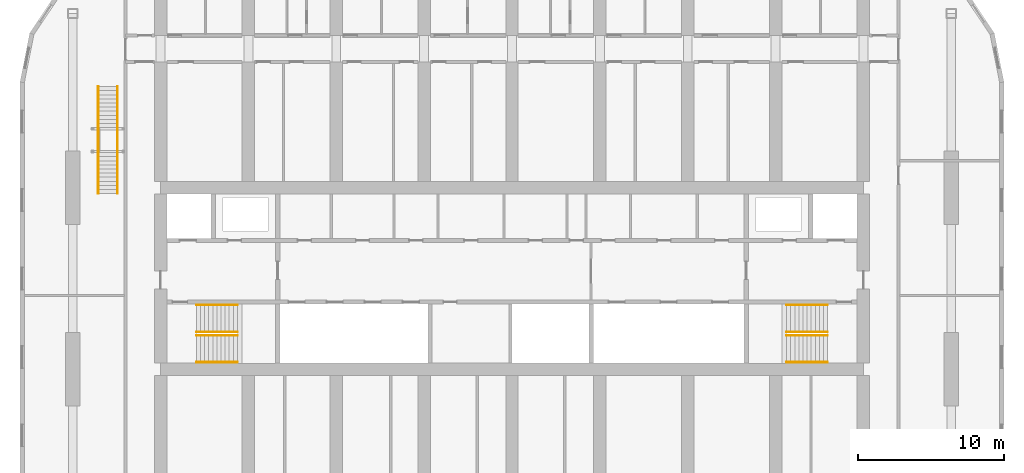
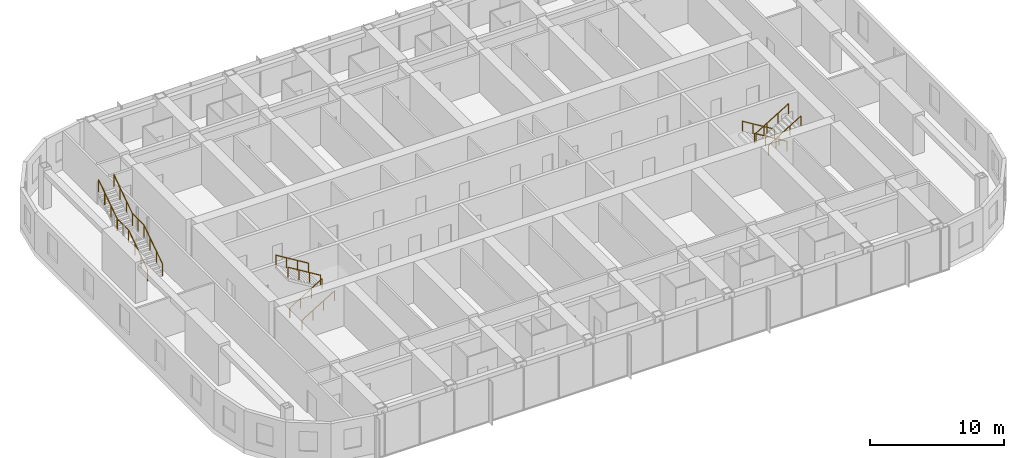
# One storey, part 29 of 29: 10 railings.
"""IFC4 building model written with IfcOpenShell, lengths in metres."""

from ifc_helpers import new_model, si_unit, direction, frame, origin, origin_2d, place, context, subcontext, project, spatial, circle, extrude, material, type_object, element, save


model = new_model("IFC4")

# Units and contexts
model_context = context("Model", 3, precision=1e-05, world=origin(), true_north=direction((0.0, 1.0)))
body_context = subcontext(model_context, "Body", "Model", "MODEL_VIEW")
ifc_project = project(units=[si_unit("LENGTHUNIT", "METRE"), si_unit("AREAUNIT", "SQUARE_METRE"), si_unit("VOLUMEUNIT", "CUBIC_METRE"), si_unit("PLANEANGLEUNIT", "RADIAN"), si_unit("MASSUNIT", "GRAM", prefix="KILO")], contexts=[model_context])

# Site, building, storey
site_placement = place(None, origin())
site = spatial("IfcSite", under=ifc_project, at=site_placement, CompositionType="ELEMENT")
building_placement = place(site_placement, origin())
building = spatial("IfcBuilding", under=site, at=building_placement, Name="Orbita Commons", CompositionType="ELEMENT")
storey_placement = place(building_placement, frame((0.0, 0.0, 148.60009765625)))
storey = spatial("IfcBuildingStorey", under=building, at=storey_placement, Name="L36", CompositionType="ELEMENT", Elevation=148.60009765625)

# Railings
ifc_material_1 = material(Name="Laminated glass, steel handrail", Category="steel")
railing_type_1 = type_object("IfcRailingType", Name="Feature stair balustrade, glass on steel stringer 1100", PredefinedType="BALUSTRADE", material=ifc_material_1)
for number, where, name in (
    (1, (13.739990234375, 37.800048828125, 0.0), "Neighbourhood stair L36 to L37 balustrade L"),
    (2, (15.06005859375, 37.800048828125, 0.0), "Neighbourhood stair L36 to L37 balustrade R"),
):
    element("IfcRailing", number, at=place(storey_placement, frame(where)), inside=storey, type_object=railing_type_1, Name=name, PredefinedType="BALUSTRADE", context=body_context, shape_type="SweptSolid", body=[
        extrude(circle(Radius=0.02490234375, at=origin_2d()), frame((0.0, 0.0, 1.0751953125), z_axis=(0.0, 0.830911662861, 0.55640435703), x_axis=(-1.0, 0.0, 0.0)), (0.0, 0.0, 1.0), 3.369873046875),
        extrude(circle(Radius=0.02490234375, at=origin_2d()), frame((0.0, 2.800048828125, 2.9501953125), z_axis=(0.0, 1.0, 0.0), x_axis=(-1.0, 0.0, 0.0)), (0.0, 0.0, 1.0), 1.7099609375),
        extrude(circle(Radius=0.02490234375, at=origin_2d()), frame((0.0, 4.510009765625, 2.9501953125), z_axis=(0.0, 0.830911662861, 0.55640435703), x_axis=(-1.0, 0.0, 0.0)), (0.0, 0.0, 1.0), 3.369873046875),
        extrude(circle(Radius=0.02001953125, at=origin_2d()), origin(), (0.0, 0.0, 1.0), 1.050048828125),
        extrude(circle(Radius=0.02001953125, at=origin_2d()), frame((0.0, 0.933349609375, 0.625)), (0.0, 0.0, 1.0), 1.050048828125),
        extrude(circle(Radius=0.02001953125, at=origin_2d()), frame((0.0, 1.86669921875, 1.25)), (0.0, 0.0, 1.0), 1.050048828125),
        extrude(circle(Radius=0.02001953125, at=origin_2d()), frame((0.0, 2.800048828125, 1.875)), (0.0, 0.0, 1.0), 1.050048828125),
        extrude(circle(Radius=0.02001953125, at=origin_2d()), frame((0.0, 3.655029296875, 1.875)), (0.0, 0.0, 1.0), 1.050048828125),
        extrude(circle(Radius=0.02001953125, at=origin_2d()), frame((0.0, 4.510009765625, 1.875)), (0.0, 0.0, 1.0), 1.050048828125),
        extrude(circle(Radius=0.02001953125, at=origin_2d()), frame((0.0, 5.443359375, 2.5)), (0.0, 0.0, 1.0), 1.050048828125),
        extrude(circle(Radius=0.02001953125, at=origin_2d()), frame((0.0, 6.376708984375, 3.125)), (0.0, 0.0, 1.0), 1.050048828125),
        extrude(circle(Radius=0.02001953125, at=origin_2d()), frame((0.0, 7.31005859375, 3.75)), (0.0, 0.0, 1.0), 1.050048828125),
    ])
ifc_material_2 = material(Name="Steel tube, painted", Category="steel")
railing_type_2 = type_object("IfcRailingType", Name="Stair handrail steel tube 900", PredefinedType="HANDRAIL", material=ifc_material_2)
for number, where, name in (
    (3, (20.449951171875, 28.114990234375, 0.17041015625), "Stair S1 handrail L36 flight 1"),
    (4, (20.449951171875, 26.284912109375, 0.17041015625), "Stair S1 handrail L36 flight 1"),
):
    element("IfcRailing", number, at=place(storey_placement, frame(where)), inside=storey, type_object=railing_type_2, Name=name, PredefinedType="HANDRAIL", context=body_context, shape_type="SweptSolid", body=[
        extrude(circle(Radius=0.02099609375, at=origin_2d()), frame((0.0, 0.0, 0.87890625), z_axis=(0.854169791009, 0.0, 0.51999420009), x_axis=(0.0, 1.0, 0.0)), (0.0, 0.0, 1.0), 3.278076171875),
        extrude(circle(Radius=0.02001953125, at=origin_2d()), origin(), (0.0, 0.0, 1.0), 0.85791015625),
        extrude(circle(Radius=0.02001953125, at=origin_2d()), frame((0.933349609375, 0.0, 0.568115234375)), (0.0, 0.0, 1.0), 0.85791015625),
        extrude(circle(Radius=0.02001953125, at=origin_2d()), frame((1.86669921875, 0.0, 1.136474609375)), (0.0, 0.0, 1.0), 0.85791015625),
        extrude(circle(Radius=0.02001953125, at=origin_2d()), frame((2.800048828125, 0.0, 1.70458984375)), (0.0, 0.0, 1.0), 0.85791015625),
    ])
for number, where, name in (
    (5, (23.25, 28.360107421875, 2.04541015625), "Stair S1 handrail L36 flight 2"),
    (6, (23.25, 30.18994140625, 2.04541015625), "Stair S1 handrail L36 flight 2"),
    (7, (63.550048828125, 28.360107421875, 0.17041015625), "Stair S2 handrail L36 flight 1"),
    (8, (63.550048828125, 30.18994140625, 0.17041015625), "Stair S2 handrail L36 flight 1"),
):
    element("IfcRailing", number, at=place(storey_placement, frame(where)), inside=storey, type_object=railing_type_2, Name=name, PredefinedType="HANDRAIL", context=body_context, shape_type="SweptSolid", body=[
        extrude(circle(Radius=0.02099609375, at=origin_2d()), frame((0.0, 0.0, 0.87890625), z_axis=(-0.854169791009, 0.0, 0.51999420009), x_axis=(0.0, -1.0, 0.0)), (0.0, 0.0, 1.0), 3.278076171875),
        extrude(circle(Radius=0.02001953125, at=origin_2d()), origin(), (0.0, 0.0, 1.0), 0.85791015625),
        extrude(circle(Radius=0.02001953125, at=origin_2d()), frame((-0.933349609375, 0.0, 0.568115234375)), (0.0, 0.0, 1.0), 0.85791015625),
        extrude(circle(Radius=0.02001953125, at=origin_2d()), frame((-1.86669921875, 0.0, 1.136474609375)), (0.0, 0.0, 1.0), 0.85791015625),
        extrude(circle(Radius=0.02001953125, at=origin_2d()), frame((-2.800048828125, 0.0, 1.70458984375)), (0.0, 0.0, 1.0), 0.85791015625),
    ])
for number, where, name in (
    (9, (60.75, 28.114990234375, 2.04541015625), "Stair S2 handrail L36 flight 2"),
    (10, (60.75, 26.284912109375, 2.04541015625), "Stair S2 handrail L36 flight 2"),
):
    element("IfcRailing", number, at=place(storey_placement, frame(where)), inside=storey, type_object=railing_type_2, Name=name, PredefinedType="HANDRAIL", context=body_context, shape_type="SweptSolid", body=[
        extrude(circle(Radius=0.02099609375, at=origin_2d()), frame((0.0, 0.0, 0.87890625), z_axis=(0.854169791009, 0.0, 0.51999420009), x_axis=(0.0, 1.0, 0.0)), (0.0, 0.0, 1.0), 3.278076171875),
        extrude(circle(Radius=0.02001953125, at=origin_2d()), origin(), (0.0, 0.0, 1.0), 0.85791015625),
        extrude(circle(Radius=0.02001953125, at=origin_2d()), frame((0.933349609375, 0.0, 0.568115234375)), (0.0, 0.0, 1.0), 0.85791015625),
        extrude(circle(Radius=0.02001953125, at=origin_2d()), frame((1.86669921875, 0.0, 1.136474609375)), (0.0, 0.0, 1.0), 0.85791015625),
        extrude(circle(Radius=0.02001953125, at=origin_2d()), frame((2.800048828125, 0.0, 1.70458984375)), (0.0, 0.0, 1.0), 0.85791015625),
    ])

save(model, "model.ifc")
